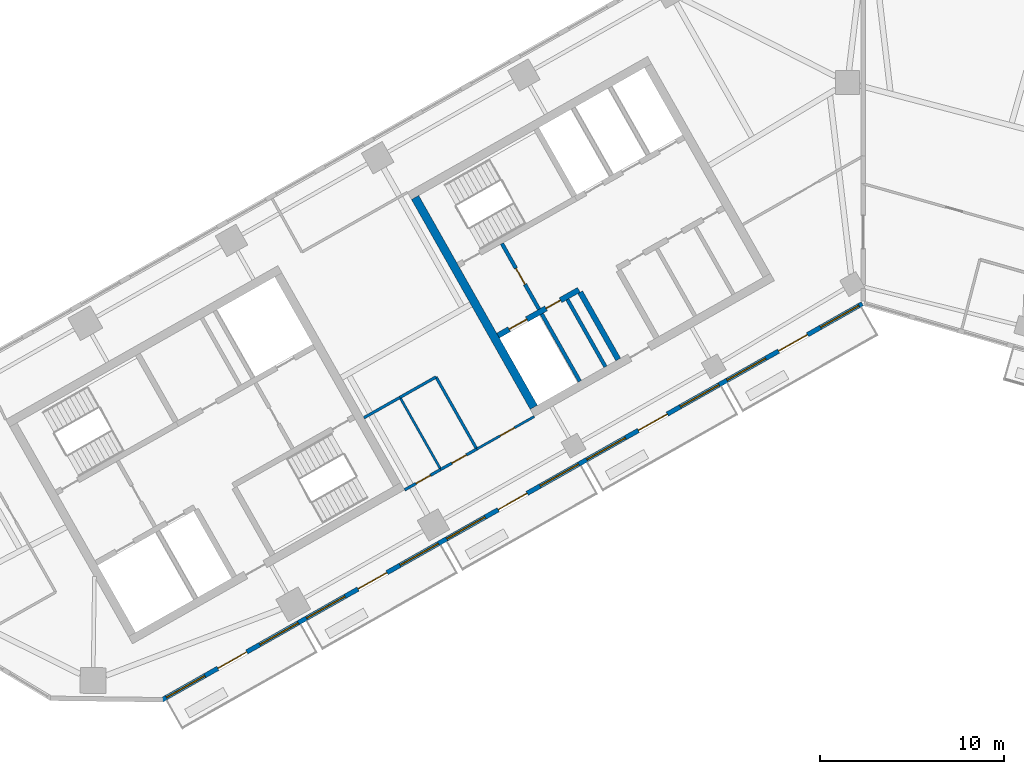
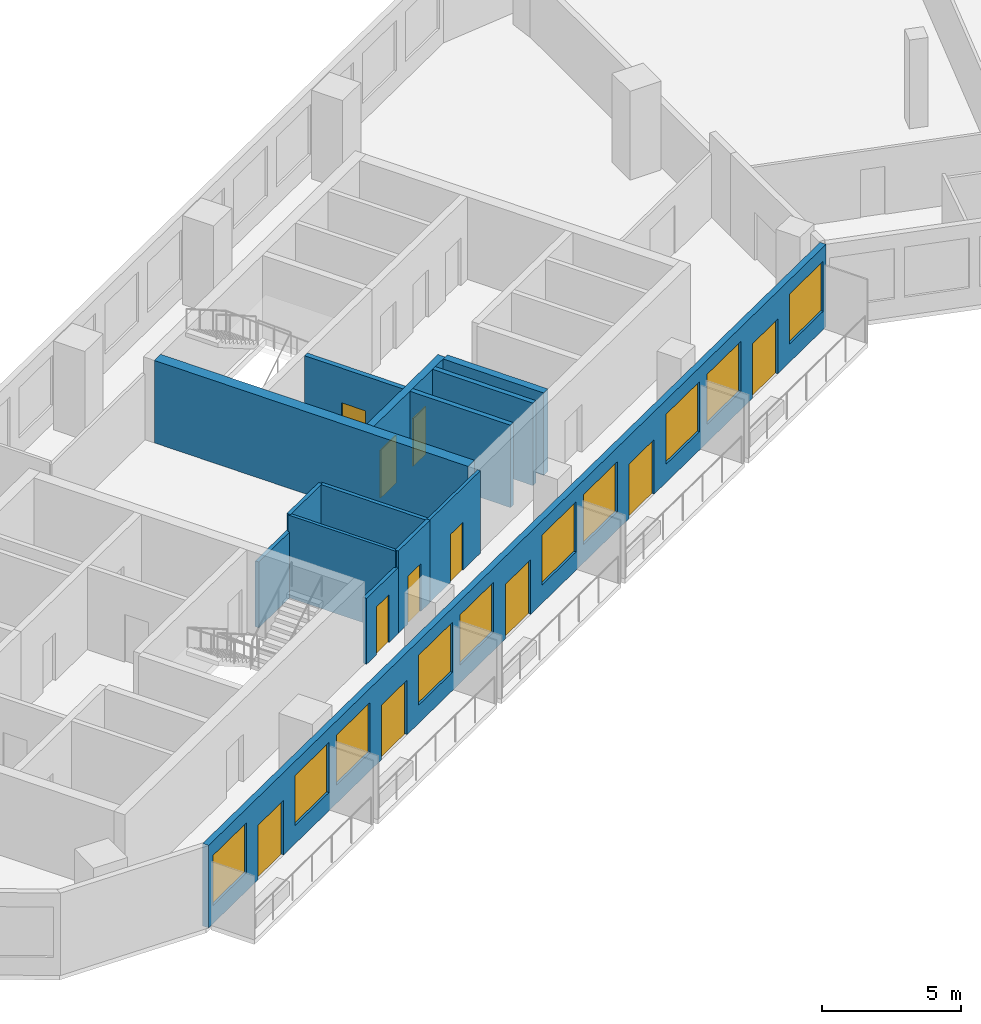
# One storey, part 5 of 12: 14 walls, 11 doors, 10 windows, 21 openings.
"""IFC4 building model written with IfcOpenShell, lengths in metres."""

import ifcopenshell
import ifcopenshell.guid

model = None  # the IFC model being written
_history = None  # IfcOwnerHistory: only IFC2X3 demands one
_inside = {}  # id of a spatial element -> (the spatial element, [elements in it])
_under = {}  # id of a project, library or spatial element -> (it, [spatial elements below it])
_declared = {}  # id of a project -> (the project, [libraries it declares])
_typed = {}  # id of a type object -> (the type object, [elements of that type])
_made_of = {}  # id of a material, layer set ... -> (it, [elements and type objects made of it])


def new_model(schema):
    """Start an empty IFC model of exactly this schema.

    Asked for "IFC4X3", IfcOpenShell would pick the latest addendum, in which some entities
    have other attributes; the version numbers below select the first issue.
    IFC2X3 requires an IfcOwnerHistory on every rooted entity: one is made here for all.
    """
    global model, _history
    if schema == "IFC4X3":
        model = ifcopenshell.file(schema_version=(4, 3, 0, 0))
    else:
        model = ifcopenshell.file(schema=schema)
    _inside.clear()
    _under.clear()
    _declared.clear()
    _typed.clear()
    _made_of.clear()
    _history = None
    if model.schema == "IFC2X3":
        org = make("IfcOrganization", Name="unknown")
        user = make(
            "IfcPersonAndOrganization",
            ThePerson=make("IfcPerson", FamilyName="unknown"),
            TheOrganization=org,
        )
        app = make(
            "IfcApplication",
            ApplicationDeveloper=org,
            Version="unknown",
            ApplicationFullName="unknown",
            ApplicationIdentifier="unknown",
        )
        _history = make(
            "IfcOwnerHistory",
            OwningUser=user,
            OwningApplication=app,
            ChangeAction="ADDED",
            CreationDate=0,
        )
    return model


def make(cls, **values):
    """One entity of the class cls with the attributes given. An attribute that is None is left unset."""
    return model.create_entity(
        cls, **{name: value for name, value in values.items() if value is not None}
    )


def rooted(cls, **values):
    """An entity with a GlobalId (a new one), such as an element, a storey or a relation."""
    return make(cls, GlobalId=ifcopenshell.guid.new(), OwnerHistory=_history, **values)


def si_unit(unit_type, name, prefix=None):
    """IfcSIUnit, for example si_unit("LENGTHUNIT", "METRE", prefix="MILLI")."""
    return make("IfcSIUnit", UnitType=unit_type, Prefix=prefix, Name=name)


def assignment(units):
    """IfcUnitAssignment: the units of a project."""
    return None if units is None else make("IfcUnitAssignment", Units=units)


def point(xyz):
    """IfcCartesianPoint."""
    return None if xyz is None else make("IfcCartesianPoint", Coordinates=xyz)


def direction(xyz):
    """IfcDirection."""
    return None if xyz is None else make("IfcDirection", DirectionRatios=xyz)


def frame(location, z_axis=None, x_axis=None):
    """IfcAxis2Placement3D, a coordinate frame: its origin and axes. An axis left out is left unset."""
    return make(
        "IfcAxis2Placement3D",
        Location=point(location),
        Axis=direction(z_axis),
        RefDirection=direction(x_axis),
    )


def frame_2d(location, x_axis=None):
    """IfcAxis2Placement2D, a coordinate frame in the plane: its origin and x axis."""
    return make(
        "IfcAxis2Placement2D", Location=point(location), RefDirection=direction(x_axis)
    )


def origin():
    """The frame at (0, 0, 0) with its axes left unset."""
    return frame((0.0, 0.0, 0.0))


def place(relative_to, where):
    """IfcLocalPlacement: puts the frame where relative to a parent placement (None: the world)."""
    return make(
        "IfcLocalPlacement", PlacementRelTo=relative_to, RelativePlacement=where
    )


def context(
    kind, dimensions, precision=None, world=None, true_north=None, identifier=None
):
    """IfcGeometricRepresentationContext, for example the 3D "Model" context."""
    return make(
        "IfcGeometricRepresentationContext",
        ContextIdentifier=identifier,
        ContextType=kind,
        CoordinateSpaceDimension=dimensions,
        Precision=precision,
        WorldCoordinateSystem=world,
        TrueNorth=true_north,
    )


def subcontext(parent, identifier, kind, view, scale=None):
    """IfcGeometricRepresentationSubContext, for example "Body" below "Model"."""
    return make(
        "IfcGeometricRepresentationSubContext",
        ContextIdentifier=identifier,
        ContextType=kind,
        ParentContext=parent,
        TargetScale=scale,
        TargetView=view,
    )


def project(units=None, contexts=None):
    """IfcProject with its units and contexts."""
    return rooted(
        "IfcProject",
        Name="project",
        RepresentationContexts=contexts,
        UnitsInContext=assignment(units),
    )


def spatial(cls, under=None, at=None, **own):
    """A site, building, storey or space (cls), placed at a placement, below another one or the project."""
    s = rooted(cls, ObjectPlacement=at, **own)
    if under is not None:
        _under.setdefault(under.id(), (under, []))[1].append(s)
    return s


def profile(cls, at=None, kind="AREA", **sizes):
    """A parametric profile (cls). Its sizes go by their IFC names, for example OverallWidth=200.0."""
    return make(cls, ProfileType=kind, Position=at, **sizes)


def rectangle(**sizes):
    """IfcRectangleProfileDef."""
    return profile("IfcRectangleProfileDef", **sizes)


def extrude(swept, where, along, depth):
    """IfcExtrudedAreaSolid: the profile swept, set in the frame where, extruded along a direction by depth."""
    return make(
        "IfcExtrudedAreaSolid",
        SweptArea=swept,
        Position=where,
        ExtrudedDirection=direction(along),
        Depth=depth,
    )


def shape(context_of_items, identifier, shape_type, items):
    """IfcShapeRepresentation: the items that make up one representation, for example the "Body"."""
    return make(
        "IfcShapeRepresentation",
        ContextOfItems=context_of_items,
        RepresentationIdentifier=identifier,
        RepresentationType=shape_type,
        Items=items,
    )


def material(Name=None, Category=None):
    """IfcMaterial."""
    return make("IfcMaterial", Name=Name, Category=Category)


def layer(
    of_material, thickness, ventilated=None, Name=None, Category=None, Priority=None
):
    """IfcMaterialLayer: one layer of a wall or slab, of a material (None: an air gap)."""
    return make(
        "IfcMaterialLayer",
        Material=of_material,
        LayerThickness=thickness,
        IsVentilated=ventilated,
        Name=Name,
        Category=Category,
        Priority=Priority,
    )


def layer_set(layers, Name=None):
    """IfcMaterialLayerSet."""
    return make("IfcMaterialLayerSet", MaterialLayers=layers, LayerSetName=Name)


def made_of(thing, what):
    """Note that an element or type object is made of a material, layer set ...; save() writes the relation."""
    if what is not None:
        _made_of.setdefault(what.id(), (what, []))[1].append(thing)
    return thing


def type_object(cls, material=None, **own):
    """A type object (cls), such as IfcWallType, which elements share."""
    return made_of(rooted(cls, **own), material)


def element(
    cls,
    number,
    at=None,
    inside=None,
    cuts=None,
    type_object=None,
    material=None,
    context=None,
    identifier="Body",
    shape_type=None,
    held_by="IfcProductDefinitionShape",
    body=None,
    shapes=None,
    **own,
):
    """One element of the class cls, such as IfcWall. Its Tag is "e" and its number.

    at: its placement. inside: the storey or other place that contains it. cuts: it is an
    opening in that element (IfcRelVoidsElement). A single representation is given by context,
    identifier, shape_type and body (its items); several are given by shapes. held_by: the class
    of the entity that holds the representations. save() writes the other relations.
    """
    e = rooted(cls, Tag="e%d" % number, ObjectPlacement=at, **own)
    if body is not None:
        shapes = [shape(context, identifier, shape_type, body)]
    if shapes is not None:
        e.Representation = make(held_by, Representations=shapes)
    if inside is not None:
        _inside.setdefault(inside.id(), (inside, []))[1].append(e)
    if cuts is not None:
        rooted(
            "IfcRelVoidsElement", RelatingBuildingElement=cuts, RelatedOpeningElement=e
        )
    if type_object is not None:
        _typed.setdefault(type_object.id(), (type_object, []))[1].append(e)
    return made_of(e, material)


def fill(opening, filler):
    """IfcRelFillsElement: the door or window that sits in an opening."""
    return rooted(
        "IfcRelFillsElement",
        RelatingOpeningElement=opening,
        RelatedBuildingElement=filler,
    )


def aggregate(whole, parts):
    """IfcRelAggregates: a whole, such as a stair, and the parts it consists of."""
    return rooted("IfcRelAggregates", RelatingObject=whole, RelatedObjects=parts)


def save(model, path):
    """Write the relations noted so far, then the file.

    IfcRelAggregates (storeys below a building ...), IfcRelContainedInSpatialStructure (elements
    in a storey), IfcRelDefinesByType, IfcRelAssociatesMaterial and IfcRelDeclares: one each for
    every whole, place, type object, material and project.
    """
    for whole, parts in _under.values():
        aggregate(whole, parts)
    for where, things in _inside.values():
        rooted(
            "IfcRelContainedInSpatialStructure",
            RelatedElements=things,
            RelatingStructure=where,
        )
    for kind, things in _typed.values():
        rooted("IfcRelDefinesByType", RelatedObjects=things, RelatingType=kind)
    for what, things in _made_of.values():
        rooted("IfcRelAssociatesMaterial", RelatedObjects=things, RelatingMaterial=what)
    for by, libraries in _declared.values():
        rooted("IfcRelDeclares", RelatingContext=by, RelatedDefinitions=libraries)
    model.write(path)


model = new_model("IFC4")

# Units and contexts
model_context = context("Model", 3, precision=1e-05, world=origin(), true_north=direction((0.0, 1.0)))
body_context = subcontext(model_context, "Body", "Model", "MODEL_VIEW")
ifc_project = project(units=[si_unit("LENGTHUNIT", "METRE"), si_unit("AREAUNIT", "SQUARE_METRE"), si_unit("VOLUMEUNIT", "CUBIC_METRE"), si_unit("PLANEANGLEUNIT", "RADIAN"), si_unit("MASSUNIT", "GRAM", prefix="KILO")], contexts=[model_context])

# Site, building, storey
site_placement = place(None, origin())
site = spatial("IfcSite", under=ifc_project, at=site_placement, CompositionType="ELEMENT")
building_placement = place(site_placement, origin())
building = spatial("IfcBuilding", under=site, at=building_placement, Name="Binnacle Exchange Tower", CompositionType="ELEMENT")
storey_placement = place(building_placement, frame((0.0, 0.0, 242.60009765625)))
storey = spatial("IfcBuildingStorey", under=building, at=storey_placement, Name="L53", CompositionType="ELEMENT", Elevation=242.60009765625)

# Wall, openings, doors
ifc_material_1 = material(Name="Concrete C70/85", Category="concrete")
ifc_layer_1 = layer(ifc_material_1, 0.300048828125)
ifc_layer_set_1 = layer_set([ifc_layer_1], Name="Core wall - front 300")
wall_type_1 = type_object("IfcWallType", Name="Core wall - front 300", PredefinedType="SOLIDWALL", material=ifc_layer_set_1)
wall_1_placement = place(storey_placement, frame((-19.8486328125, 46.242431640625, 0.0), z_axis=(0.0, 0.0, 1.0), x_axis=(0.870347559728, 0.492437940532, 0.0)))
wall_1 = element("IfcWall", 1, at=wall_1_placement, inside=storey, type_object=wall_type_1, Name="Core wall CRWC2", PredefinedType="SOLIDWALL", context=body_context, shape_type="SweptSolid", body=[
    extrude(rectangle(XDim=5.050048828125, YDim=0.300048828125, at=frame_2d((2.52490234375, 0.0))), origin(), (0.0, 0.0, 1.0), 3.619873046875),
])
opening_1_placement = place(wall_1_placement, frame((0.7001953125, 0.0, 0.0)))
opening_1 = element("IfcOpeningElement", 2, at=opening_1_placement, cuts=wall_1, Name="Opening LD14", PredefinedType="OPENING", context=body_context, shape_type="SweptSolid", body=[
    extrude(rectangle(XDim=1.10009765625, YDim=2.10009765625, at=frame_2d((0.550048828125, 1.050048828125))), frame((0.0, 0.159912109375, 0.0), z_axis=(0.0, -1.0, 0.0), x_axis=(1.0, 0.0, 0.0)), (0.0, 0.0, 1.0), 0.320068359375),
])
opening_2_placement = place(wall_1_placement, frame((3.0, 0.0, 0.0)))
opening_2 = element("IfcOpeningElement", 3, at=opening_2_placement, cuts=wall_1, Name="Opening DC14", PredefinedType="OPENING", context=body_context, shape_type="SweptSolid", body=[
    extrude(rectangle(XDim=0.89990234375, YDim=2.10009765625, at=frame_2d((0.449951171875, 1.050048828125))), frame((0.0, 0.159912109375, 0.0), z_axis=(0.0, -1.0, 0.0), x_axis=(1.0, 0.0, 0.0)), (0.0, 0.0, 1.0), 0.320068359375),
])
ifc_material_2 = material(Name="Steel door leaf", Category="steel")
door_type_1 = type_object("IfcDoorType", Name="Fire door - lift landing 1100", OperationType="NOTDEFINED", PredefinedType="DOOR", material=ifc_material_2)
door_1_placement = place(opening_1_placement, origin())
door_1 = element("IfcDoor", 4, at=door_1_placement, inside=storey, type_object=door_type_1, Name="Landing door LD14 L53", OperationType="DOUBLE_DOOR_SLIDING", OverallHeight=2.10009765625, OverallWidth=1.10009765625, PredefinedType="DOOR", context=body_context, shape_type="SweptSolid", body=[
    extrude(rectangle(XDim=1.10009765625, YDim=2.10009765625, at=frame_2d((0.550048828125, 1.050048828125))), frame((0.0, 0.02490234375, 0.0), z_axis=(0.0, -1.0, 0.0), x_axis=(1.0, 0.0, 0.0)), (0.0, 0.0, 1.0), 0.050048828125),
])
fill(opening_1, door_1)
door_type_2 = type_object("IfcDoorType", Name="Fire door 900", OperationType="NOTDEFINED", PredefinedType="DOOR", material=ifc_material_2)
door_2_placement = place(opening_2_placement, frame((0.89990234375, 0.0, 0.0), z_axis=(0.0, 0.0, 1.0), x_axis=(-1.0, 0.0, 0.0)))
door_2 = element("IfcDoor", 5, at=door_2_placement, inside=storey, type_object=door_type_2, Name="Core room door CLEANERS STORE", OperationType="SINGLE_SWING_LEFT", OverallHeight=2.10009765625, OverallWidth=0.89990234375, PredefinedType="DOOR", context=body_context, shape_type="SweptSolid", body=[
    extrude(rectangle(XDim=0.89990234375, YDim=2.10009765625, at=frame_2d((0.449951171875, 1.050048828125))), frame((0.0, 0.02490234375, 0.0), z_axis=(0.0, -1.0, 0.0), x_axis=(1.0, 0.0, 0.0)), (0.0, 0.0, 1.0), 0.050048828125),
])
fill(opening_2, door_2)

# Walls
wall_2_placement = place(storey_placement, frame((-15.37939453125, 48.5986328125, 0.0), z_axis=(0.0, 0.0, 1.0), x_axis=(0.492409653846, -0.870363563575, 0.0)))
element("IfcWall", 6, at=wall_2_placement, inside=storey, type_object=wall_type_1, Name="Core wall CRWC13", PredefinedType="SOLIDWALL", context=body_context, shape_type="SweptSolid", body=[
    extrude(rectangle(XDim=4.199951171875, YDim=0.300048828125, at=frame_2d((2.10009765625, 0.0))), origin(), (0.0, 0.0, 1.0), 3.619873046875),
])
ifc_layer_2 = layer(ifc_material_1, 0.449951171875)
ifc_layer_set_2 = layer_set([ifc_layer_2], Name="Core wall - outer 450")
wall_type_2 = type_object("IfcWallType", Name="Core wall - outer 450", PredefinedType="SOLIDWALL", material=ifc_layer_set_2)
wall_3_placement = place(storey_placement, frame((-24.353271484375, 53.747314453125, 0.0), z_axis=(0.0, 0.0, 1.0), x_axis=(0.492435496286, -0.870348942665, 0.0)))
element("IfcWall", 7, at=wall_3_placement, inside=storey, type_object=wall_type_2, Name="Core wall CRWC7", PredefinedType="SOLIDWALL", context=body_context, shape_type="SweptSolid", body=[
    extrude(rectangle(XDim=13.10009765625, YDim=0.449951171875, at=frame_2d((6.550048828125, 0.0))), origin(), (0.0, 0.0, 1.0), 3.619873046875),
])

# Wall, openings, doors, windows
ifc_material_3 = material(Name="Bronze aluminium cladding", Category="aluminium")
ifc_layer_3 = layer(ifc_material_3, 0.25)
ifc_layer_set_3 = layer_set([ifc_layer_3], Name="External wall - window wall 250")
wall_type_3 = type_object("IfcWallType", Name="External wall - window wall 250", PredefinedType="STANDARD", material=ifc_layer_set_3)
wall_4_placement = place(storey_placement, frame((-0.045654296875, 47.97412109375, 0.0), z_axis=(0.0, 0.0, 1.0), x_axis=(-0.870356579543, -0.492421998337, 0.0)))
wall_4 = element("IfcWall", 8, at=wall_4_placement, inside=storey, type_object=wall_type_3, Name="External wall EW-G01 L53", PredefinedType="STANDARD", context=body_context, shape_type="SweptSolid", body=[
    extrude(rectangle(XDim=43.75390625, YDim=0.25, at=frame_2d((21.876953125, 0.0))), origin(), (0.0, 0.0, 1.0), 3.619873046875),
])
opening_3_placement = place(wall_4_placement, frame((41.061279296875, 0.0, 0.800048828125)))
opening_3 = element("IfcOpeningElement", 9, at=opening_3_placement, cuts=wall_4, Name="Opening WR1", PredefinedType="OPENING", context=body_context, shape_type="SweptSolid", body=[
    extrude(rectangle(XDim=2.39990234375, YDim=2.199951171875, at=frame_2d((1.199951171875, 1.10009765625))), frame((0.0, 0.135009765625, 0.0), z_axis=(0.0, -1.0, 0.0), x_axis=(1.0, 0.0, 0.0)), (0.0, 0.0, 1.0), 0.27001953125),
])
opening_4_placement = place(wall_4_placement, frame((38.443115234375, 0.0, 0.0)))
opening_4 = element("IfcOpeningElement", 10, at=opening_4_placement, cuts=wall_4, Name="Opening D-FS15-01", PredefinedType="OPENING", context=body_context, shape_type="SweptSolid", body=[
    extrude(rectangle(XDim=1.800048828125, YDim=2.39990234375, at=frame_2d((0.89990234375, 1.199951171875))), frame((0.0, 0.135009765625, 0.0), z_axis=(0.0, -1.0, 0.0), x_axis=(1.0, 0.0, 0.0)), (0.0, 0.0, 1.0), 0.27001953125),
])
opening_5_placement = place(wall_4_placement, frame((35.224853515625, 0.0, 0.800048828125)))
opening_5 = element("IfcOpeningElement", 11, at=opening_5_placement, cuts=wall_4, Name="Opening WR1", PredefinedType="OPENING", context=body_context, shape_type="SweptSolid", body=[
    extrude(rectangle(XDim=2.39990234375, YDim=2.199951171875, at=frame_2d((1.199951171875, 1.10009765625))), frame((0.0, 0.135009765625, 0.0), z_axis=(0.0, -1.0, 0.0), x_axis=(1.0, 0.0, 0.0)), (0.0, 0.0, 1.0), 0.27001953125),
])
opening_6_placement = place(wall_4_placement, frame((32.306640625, 0.0, 0.800048828125)))
opening_6 = element("IfcOpeningElement", 12, at=opening_6_placement, cuts=wall_4, Name="Opening WR1", PredefinedType="OPENING", context=body_context, shape_type="SweptSolid", body=[
    extrude(rectangle(XDim=2.39990234375, YDim=2.199951171875, at=frame_2d((1.199951171875, 1.10009765625))), frame((0.0, 0.135009765625, 0.0), z_axis=(0.0, -1.0, 0.0), x_axis=(1.0, 0.0, 0.0)), (0.0, 0.0, 1.0), 0.27001953125),
])
opening_7_placement = place(wall_4_placement, frame((29.6884765625, 0.0, 0.0)))
opening_7 = element("IfcOpeningElement", 13, at=opening_7_placement, cuts=wall_4, Name="Opening D-FS15-02", PredefinedType="OPENING", context=body_context, shape_type="SweptSolid", body=[
    extrude(rectangle(XDim=1.800048828125, YDim=2.39990234375, at=frame_2d((0.89990234375, 1.199951171875))), frame((0.0, 0.135009765625, 0.0), z_axis=(0.0, -1.0, 0.0), x_axis=(1.0, 0.0, 0.0)), (0.0, 0.0, 1.0), 0.27001953125),
])
opening_8_placement = place(wall_4_placement, frame((26.47021484375, 0.0, 0.800048828125)))
opening_8 = element("IfcOpeningElement", 14, at=opening_8_placement, cuts=wall_4, Name="Opening WR1", PredefinedType="OPENING", context=body_context, shape_type="SweptSolid", body=[
    extrude(rectangle(XDim=2.39990234375, YDim=2.199951171875, at=frame_2d((1.199951171875, 1.10009765625))), frame((0.0, 0.135009765625, 0.0), z_axis=(0.0, -1.0, 0.0), x_axis=(1.0, 0.0, 0.0)), (0.0, 0.0, 1.0), 0.27001953125),
])
opening_9_placement = place(wall_4_placement, frame((23.552001953125, 0.0, 0.800048828125)))
opening_9 = element("IfcOpeningElement", 15, at=opening_9_placement, cuts=wall_4, Name="Opening WR1", PredefinedType="OPENING", context=body_context, shape_type="SweptSolid", body=[
    extrude(rectangle(XDim=2.39990234375, YDim=2.199951171875, at=frame_2d((1.199951171875, 1.10009765625))), frame((0.0, 0.135009765625, 0.0), z_axis=(0.0, -1.0, 0.0), x_axis=(1.0, 0.0, 0.0)), (0.0, 0.0, 1.0), 0.27001953125),
])
opening_10_placement = place(wall_4_placement, frame((20.93408203125, 0.0, 0.0)))
opening_10 = element("IfcOpeningElement", 16, at=opening_10_placement, cuts=wall_4, Name="Opening D-FS15-03", PredefinedType="OPENING", context=body_context, shape_type="SweptSolid", body=[
    extrude(rectangle(XDim=1.7998046875, YDim=2.39990234375, at=frame_2d((0.89990234375, 1.199951171875))), frame((0.0, 0.135009765625, 0.0), z_axis=(0.0, -1.0, 0.0), x_axis=(1.0, 0.0, 0.0)), (0.0, 0.0, 1.0), 0.27001953125),
])
opening_11_placement = place(wall_4_placement, frame((17.7158203125, 0.0, 0.800048828125)))
opening_11 = element("IfcOpeningElement", 17, at=opening_11_placement, cuts=wall_4, Name="Opening WR1", PredefinedType="OPENING", context=body_context, shape_type="SweptSolid", body=[
    extrude(rectangle(XDim=2.39990234375, YDim=2.199951171875, at=frame_2d((1.199951171875, 1.10009765625))), frame((0.0, 0.135009765625, 0.0), z_axis=(0.0, -1.0, 0.0), x_axis=(1.0, 0.0, 0.0)), (0.0, 0.0, 1.0), 0.27001953125),
])
opening_12_placement = place(wall_4_placement, frame((14.797607421875, 0.0, 0.800048828125)))
opening_12 = element("IfcOpeningElement", 18, at=opening_12_placement, cuts=wall_4, Name="Opening WR1", PredefinedType="OPENING", context=body_context, shape_type="SweptSolid", body=[
    extrude(rectangle(XDim=2.39990234375, YDim=2.199951171875, at=frame_2d((1.199951171875, 1.10009765625))), frame((0.0, 0.135009765625, 0.0), z_axis=(0.0, -1.0, 0.0), x_axis=(1.0, 0.0, 0.0)), (0.0, 0.0, 1.0), 0.27001953125),
])
opening_13_placement = place(wall_4_placement, frame((12.179443359375, 0.0, 0.0)))
opening_13 = element("IfcOpeningElement", 19, at=opening_13_placement, cuts=wall_4, Name="Opening D-FS15-04", PredefinedType="OPENING", context=body_context, shape_type="SweptSolid", body=[
    extrude(rectangle(XDim=1.800048828125, YDim=2.39990234375, at=frame_2d((0.89990234375, 1.199951171875))), frame((0.0, 0.135009765625, 0.0), z_axis=(0.0, -1.0, 0.0), x_axis=(1.0, 0.0, 0.0)), (0.0, 0.0, 1.0), 0.27001953125),
])
opening_14_placement = place(wall_4_placement, frame((8.961181640625, 0.0, 0.800048828125)))
opening_14 = element("IfcOpeningElement", 20, at=opening_14_placement, cuts=wall_4, Name="Opening WR1", PredefinedType="OPENING", context=body_context, shape_type="SweptSolid", body=[
    extrude(rectangle(XDim=2.39990234375, YDim=2.199951171875, at=frame_2d((1.199951171875, 1.10009765625))), frame((0.0, 0.135009765625, 0.0), z_axis=(0.0, -1.0, 0.0), x_axis=(1.0, 0.0, 0.0)), (0.0, 0.0, 1.0), 0.27001953125),
])
opening_15_placement = place(wall_4_placement, frame((6.04296875, 0.0, 0.800048828125)))
opening_15 = element("IfcOpeningElement", 21, at=opening_15_placement, cuts=wall_4, Name="Opening WR1", PredefinedType="OPENING", context=body_context, shape_type="SweptSolid", body=[
    extrude(rectangle(XDim=2.400146484375, YDim=2.199951171875, at=frame_2d((1.2001953125, 1.10009765625))), frame((0.0, 0.135009765625, 0.0), z_axis=(0.0, -1.0, 0.0), x_axis=(1.0, 0.0, 0.0)), (0.0, 0.0, 1.0), 0.27001953125),
])
opening_16_placement = place(wall_4_placement, frame((3.4248046875, 0.0, 0.0)))
opening_16 = element("IfcOpeningElement", 22, at=opening_16_placement, cuts=wall_4, Name="Opening D-FS15-05", PredefinedType="OPENING", context=body_context, shape_type="SweptSolid", body=[
    extrude(rectangle(XDim=1.800048828125, YDim=2.39990234375, at=frame_2d((0.89990234375, 1.199951171875))), frame((0.0, 0.135009765625, 0.0), z_axis=(0.0, -1.0, 0.0), x_axis=(1.0, 0.0, 0.0)), (0.0, 0.0, 1.0), 0.27001953125),
])
opening_17_placement = place(wall_4_placement, frame((0.206787109375, 0.0, 0.800048828125)))
opening_17 = element("IfcOpeningElement", 23, at=opening_17_placement, cuts=wall_4, Name="Opening WR1", PredefinedType="OPENING", context=body_context, shape_type="SweptSolid", body=[
    extrude(rectangle(XDim=2.39990234375, YDim=2.199951171875, at=frame_2d((1.199951171875, 1.10009765625))), frame((0.0, 0.135009765625, 0.0), z_axis=(0.0, -1.0, 0.0), x_axis=(1.0, 0.0, 0.0)), (0.0, 0.0, 1.0), 0.27001953125),
])
ifc_material_4 = material(Name="Bronze anodised aluminium frame", Category="aluminium")
door_type_3 = type_object("IfcDoorType", Name="DB DOOR 1800x2400", OperationType="DOUBLE_DOOR_SINGLE_SWING", PredefinedType="DOOR", material=ifc_material_4)
door_3_placement = place(opening_4_placement, origin())
door_3 = element("IfcDoor", 24, at=door_3_placement, inside=storey, type_object=door_type_3, Name="Door D-FS15-01 L53", OperationType="DOUBLE_DOOR_SINGLE_SWING", OverallHeight=2.39990234375, OverallWidth=1.800048828125, PredefinedType="DOOR", context=body_context, shape_type="SweptSolid", body=[
    extrude(rectangle(XDim=1.800048828125, YDim=2.39990234375, at=frame_2d((0.89990234375, 1.199951171875))), frame((0.0, 0.02490234375, 0.0), z_axis=(0.0, -1.0, 0.0), x_axis=(1.0, 0.0, 0.0)), (0.0, 0.0, 1.0), 0.050048828125),
])
fill(opening_4, door_3)
door_4_placement = place(opening_7_placement, origin())
door_4 = element("IfcDoor", 25, at=door_4_placement, inside=storey, type_object=door_type_3, Name="Door D-FS15-02 L53", OperationType="DOUBLE_DOOR_SINGLE_SWING", OverallHeight=2.39990234375, OverallWidth=1.800048828125, PredefinedType="DOOR", context=body_context, shape_type="SweptSolid", body=[
    extrude(rectangle(XDim=1.800048828125, YDim=2.39990234375, at=frame_2d((0.89990234375, 1.199951171875))), frame((0.0, 0.02490234375, 0.0), z_axis=(0.0, -1.0, 0.0), x_axis=(1.0, 0.0, 0.0)), (0.0, 0.0, 1.0), 0.050048828125),
])
fill(opening_7, door_4)
door_5_placement = place(opening_10_placement, origin())
door_5 = element("IfcDoor", 26, at=door_5_placement, inside=storey, type_object=door_type_3, Name="Door D-FS15-03 L53", OperationType="DOUBLE_DOOR_SINGLE_SWING", OverallHeight=2.39990234375, OverallWidth=1.7998046875, PredefinedType="DOOR", context=body_context, shape_type="SweptSolid", body=[
    extrude(rectangle(XDim=1.7998046875, YDim=2.39990234375, at=frame_2d((0.89990234375, 1.199951171875))), frame((0.0, 0.02490234375, 0.0), z_axis=(0.0, -1.0, 0.0), x_axis=(1.0, 0.0, 0.0)), (0.0, 0.0, 1.0), 0.050048828125),
])
fill(opening_10, door_5)
door_6_placement = place(opening_13_placement, origin())
door_6 = element("IfcDoor", 27, at=door_6_placement, inside=storey, type_object=door_type_3, Name="Door D-FS15-04 L53", OperationType="DOUBLE_DOOR_SINGLE_SWING", OverallHeight=2.39990234375, OverallWidth=1.800048828125, PredefinedType="DOOR", context=body_context, shape_type="SweptSolid", body=[
    extrude(rectangle(XDim=1.800048828125, YDim=2.39990234375, at=frame_2d((0.89990234375, 1.199951171875))), frame((0.0, 0.02490234375, 0.0), z_axis=(0.0, -1.0, 0.0), x_axis=(1.0, 0.0, 0.0)), (0.0, 0.0, 1.0), 0.050048828125),
])
fill(opening_13, door_6)
door_7_placement = place(opening_16_placement, origin())
door_7 = element("IfcDoor", 28, at=door_7_placement, inside=storey, type_object=door_type_3, Name="Door D-FS15-05 L53", OperationType="DOUBLE_DOOR_SINGLE_SWING", OverallHeight=2.39990234375, OverallWidth=1.800048828125, PredefinedType="DOOR", context=body_context, shape_type="SweptSolid", body=[
    extrude(rectangle(XDim=1.800048828125, YDim=2.39990234375, at=frame_2d((0.89990234375, 1.199951171875))), frame((0.0, 0.02490234375, 0.0), z_axis=(0.0, -1.0, 0.0), x_axis=(1.0, 0.0, 0.0)), (0.0, 0.0, 1.0), 0.050048828125),
])
fill(opening_16, door_7)
window_type = type_object("IfcWindowType", Name="WR1 WINDOW 2400x2200", PartitioningType="SINGLE_PANEL", PredefinedType="WINDOW", material=ifc_material_4)
window_1_placement = place(opening_3_placement, origin())
window_1 = element("IfcWindow", 29, at=window_1_placement, inside=storey, type_object=window_type, Name="Window WR1 L53", OverallHeight=2.199951171875, OverallWidth=2.39990234375, PartitioningType="SINGLE_PANEL", PredefinedType="WINDOW", context=body_context, shape_type="SweptSolid", body=[
    extrude(rectangle(XDim=2.39990234375, YDim=2.199951171875, at=frame_2d((1.199951171875, 1.10009765625))), frame((0.0, 0.030029296875, 0.0), z_axis=(0.0, -1.0, 0.0), x_axis=(1.0, 0.0, 0.0)), (0.0, 0.0, 1.0), 0.06005859375),
])
fill(opening_3, window_1)
window_2_placement = place(opening_5_placement, origin())
window_2 = element("IfcWindow", 30, at=window_2_placement, inside=storey, type_object=window_type, Name="Window WR1 L53", OverallHeight=2.199951171875, OverallWidth=2.39990234375, PartitioningType="SINGLE_PANEL", PredefinedType="WINDOW", context=body_context, shape_type="SweptSolid", body=[
    extrude(rectangle(XDim=2.39990234375, YDim=2.199951171875, at=frame_2d((1.199951171875, 1.10009765625))), frame((0.0, 0.030029296875, 0.0), z_axis=(0.0, -1.0, 0.0), x_axis=(1.0, 0.0, 0.0)), (0.0, 0.0, 1.0), 0.06005859375),
])
fill(opening_5, window_2)
window_3_placement = place(opening_6_placement, origin())
window_3 = element("IfcWindow", 31, at=window_3_placement, inside=storey, type_object=window_type, Name="Window WR1 L53", OverallHeight=2.199951171875, OverallWidth=2.39990234375, PartitioningType="SINGLE_PANEL", PredefinedType="WINDOW", context=body_context, shape_type="SweptSolid", body=[
    extrude(rectangle(XDim=2.39990234375, YDim=2.199951171875, at=frame_2d((1.199951171875, 1.10009765625))), frame((0.0, 0.030029296875, 0.0), z_axis=(0.0, -1.0, 0.0), x_axis=(1.0, 0.0, 0.0)), (0.0, 0.0, 1.0), 0.06005859375),
])
fill(opening_6, window_3)
window_4_placement = place(opening_8_placement, origin())
window_4 = element("IfcWindow", 32, at=window_4_placement, inside=storey, type_object=window_type, Name="Window WR1 L53", OverallHeight=2.199951171875, OverallWidth=2.39990234375, PartitioningType="SINGLE_PANEL", PredefinedType="WINDOW", context=body_context, shape_type="SweptSolid", body=[
    extrude(rectangle(XDim=2.39990234375, YDim=2.199951171875, at=frame_2d((1.199951171875, 1.10009765625))), frame((0.0, 0.030029296875, 0.0), z_axis=(0.0, -1.0, 0.0), x_axis=(1.0, 0.0, 0.0)), (0.0, 0.0, 1.0), 0.06005859375),
])
fill(opening_8, window_4)
window_5_placement = place(opening_9_placement, origin())
window_5 = element("IfcWindow", 33, at=window_5_placement, inside=storey, type_object=window_type, Name="Window WR1 L53", OverallHeight=2.199951171875, OverallWidth=2.39990234375, PartitioningType="SINGLE_PANEL", PredefinedType="WINDOW", context=body_context, shape_type="SweptSolid", body=[
    extrude(rectangle(XDim=2.39990234375, YDim=2.199951171875, at=frame_2d((1.199951171875, 1.10009765625))), frame((0.0, 0.030029296875, 0.0), z_axis=(0.0, -1.0, 0.0), x_axis=(1.0, 0.0, 0.0)), (0.0, 0.0, 1.0), 0.06005859375),
])
fill(opening_9, window_5)
window_6_placement = place(opening_11_placement, origin())
window_6 = element("IfcWindow", 34, at=window_6_placement, inside=storey, type_object=window_type, Name="Window WR1 L53", OverallHeight=2.199951171875, OverallWidth=2.39990234375, PartitioningType="SINGLE_PANEL", PredefinedType="WINDOW", context=body_context, shape_type="SweptSolid", body=[
    extrude(rectangle(XDim=2.39990234375, YDim=2.199951171875, at=frame_2d((1.199951171875, 1.10009765625))), frame((0.0, 0.030029296875, 0.0), z_axis=(0.0, -1.0, 0.0), x_axis=(1.0, 0.0, 0.0)), (0.0, 0.0, 1.0), 0.06005859375),
])
fill(opening_11, window_6)
window_7_placement = place(opening_12_placement, origin())
window_7 = element("IfcWindow", 35, at=window_7_placement, inside=storey, type_object=window_type, Name="Window WR1 L53", OverallHeight=2.199951171875, OverallWidth=2.39990234375, PartitioningType="SINGLE_PANEL", PredefinedType="WINDOW", context=body_context, shape_type="SweptSolid", body=[
    extrude(rectangle(XDim=2.39990234375, YDim=2.199951171875, at=frame_2d((1.199951171875, 1.10009765625))), frame((0.0, 0.030029296875, 0.0), z_axis=(0.0, -1.0, 0.0), x_axis=(1.0, 0.0, 0.0)), (0.0, 0.0, 1.0), 0.06005859375),
])
fill(opening_12, window_7)
window_8_placement = place(opening_14_placement, origin())
window_8 = element("IfcWindow", 36, at=window_8_placement, inside=storey, type_object=window_type, Name="Window WR1 L53", OverallHeight=2.199951171875, OverallWidth=2.39990234375, PartitioningType="SINGLE_PANEL", PredefinedType="WINDOW", context=body_context, shape_type="SweptSolid", body=[
    extrude(rectangle(XDim=2.39990234375, YDim=2.199951171875, at=frame_2d((1.199951171875, 1.10009765625))), frame((0.0, 0.030029296875, 0.0), z_axis=(0.0, -1.0, 0.0), x_axis=(1.0, 0.0, 0.0)), (0.0, 0.0, 1.0), 0.06005859375),
])
fill(opening_14, window_8)
window_9_placement = place(opening_15_placement, origin())
window_9 = element("IfcWindow", 37, at=window_9_placement, inside=storey, type_object=window_type, Name="Window WR1 L53", OverallHeight=2.199951171875, OverallWidth=2.400146484375, PartitioningType="SINGLE_PANEL", PredefinedType="WINDOW", context=body_context, shape_type="SweptSolid", body=[
    extrude(rectangle(XDim=2.400146484375, YDim=2.199951171875, at=frame_2d((1.2001953125, 1.10009765625))), frame((0.0, 0.030029296875, 0.0), z_axis=(0.0, -1.0, 0.0), x_axis=(1.0, 0.0, 0.0)), (0.0, 0.0, 1.0), 0.06005859375),
])
fill(opening_15, window_9)
window_10_placement = place(opening_17_placement, origin())
window_10 = element("IfcWindow", 38, at=window_10_placement, inside=storey, type_object=window_type, Name="Window WR1 L53", OverallHeight=2.199951171875, OverallWidth=2.39990234375, PartitioningType="SINGLE_PANEL", PredefinedType="WINDOW", context=body_context, shape_type="SweptSolid", body=[
    extrude(rectangle(XDim=2.39990234375, YDim=2.199951171875, at=frame_2d((1.199951171875, 1.10009765625))), frame((0.0, 0.030029296875, 0.0), z_axis=(0.0, -1.0, 0.0), x_axis=(1.0, 0.0, 0.0)), (0.0, 0.0, 1.0), 0.06005859375),
])
fill(opening_17, window_10)

# Wall, opening, door
ifc_material_5 = material(Name="Masonry block wall", Category="masonry")
ifc_layer_4 = layer(ifc_material_5, 0.199951171875)
ifc_layer_set_4 = layer_set([ifc_layer_4], Name="Fire wall - vestibule 200")
wall_type_4 = type_object("IfcWallType", Name="Fire wall - vestibule 200", PredefinedType="PARTITIONING", material=ifc_layer_set_4)
wall_5_placement = place(storey_placement, frame((-19.635009765625, 51.246337890625, 0.0), z_axis=(0.0, 0.0, 1.0), x_axis=(0.492408451753, -0.87036424366, 0.0)))
wall_5 = element("IfcWall", 39, at=wall_5_placement, inside=storey, type_object=wall_type_4, Name="Core wall CRWC10", PredefinedType="PARTITIONING", context=body_context, shape_type="SweptSolid", body=[
    extrude(rectangle(XDim=4.099853515625, YDim=0.199951171875, at=frame_2d((2.0498046875, 0.0))), origin(), (0.0, 0.0, 1.0), 3.619873046875),
])
opening_18_placement = place(wall_5_placement, frame((1.550048828125, 0.0, 0.0)))
opening_18 = element("IfcOpeningElement", 40, at=opening_18_placement, cuts=wall_5, Name="Opening DC3", PredefinedType="OPENING", context=body_context, shape_type="SweptSolid", body=[
    extrude(rectangle(XDim=1.0, YDim=2.10009765625, at=frame_2d((0.5, 1.050048828125))), frame((0.0, 0.10986328125, 0.0), z_axis=(0.0, -1.0, 0.0), x_axis=(1.0, 0.0, 0.0)), (0.0, 0.0, 1.0), 0.219970703125),
])
door_type_4 = type_object("IfcDoorType", Name="Fire door 1000", OperationType="NOTDEFINED", PredefinedType="DOOR", material=ifc_material_2)
door_8_placement = place(opening_18_placement, frame((1.0, 0.0, 0.0), z_axis=(0.0, 0.0, 1.0), x_axis=(-1.0, 0.0, 0.0)))
door_8 = element("IfcDoor", 41, at=door_8_placement, inside=storey, type_object=door_type_4, Name="Vestibule door VEST-W", OperationType="SINGLE_SWING_RIGHT", OverallHeight=2.10009765625, OverallWidth=1.0, PredefinedType="DOOR", context=body_context, shape_type="SweptSolid", body=[
    extrude(rectangle(XDim=1.0, YDim=2.10009765625, at=frame_2d((0.5, 1.050048828125))), frame((0.0, 0.02490234375, 0.0), z_axis=(0.0, -1.0, 0.0), x_axis=(1.0, 0.0, 0.0)), (0.0, 0.0, 1.0), 0.050048828125),
])
fill(opening_18, door_8)

# Walls
ifc_material_6 = material(Name="Gypsum partition fire rated")
ifc_layer_5 = layer(ifc_material_6, 0.14990234375)
ifc_layer_set_5 = layer_set([ifc_layer_5], Name="Fire-rated partition 150")
wall_type_5 = type_object("IfcWallType", Name="Fire-rated partition 150", PredefinedType="PARTITIONING", material=ifc_layer_set_5)
wall_6_placement = place(storey_placement, frame((-27.134033203125, 41.77587890625, 0.0), z_axis=(0.0, 0.0, 1.0), x_axis=(0.870285818058, 0.4925470484, 0.0)))
element("IfcWall", 42, at=wall_6_placement, inside=storey, type_object=wall_type_5, Name="Partition W08", PredefinedType="PARTITIONING", context=body_context, shape_type="SweptSolid", body=[
    extrude(rectangle(XDim=2.249755859375, YDim=0.14990234375, at=frame_2d((1.125, 0.0))), origin(), (0.0, 0.0, 1.0), 2.891845703125),
])
wall_7_placement = place(storey_placement, frame((-25.176025390625, 42.884033203125, 0.0), z_axis=(0.0, 0.0, 1.0), x_axis=(0.870332332106, 0.492464853254, 0.0)))
element("IfcWall", 43, at=wall_7_placement, inside=storey, type_object=wall_type_5, Name="Partition W09", PredefinedType="PARTITIONING", context=body_context, shape_type="SweptSolid", body=[
    extrude(rectangle(XDim=2.249755859375, YDim=0.14990234375, at=frame_2d((1.125, 0.0))), origin(), (0.0, 0.0, 1.0), 3.619873046875),
])

# Wall, opening, door
wall_8_placement = place(storey_placement, frame((-24.9189453125, 37.85888671875, 0.0), z_axis=(0.0, 0.0, 1.0), x_axis=(0.870391061957, 0.492361045641, 0.0)))
wall_8 = element("IfcWall", 44, at=wall_8_placement, inside=storey, type_object=wall_type_5, Name="Partition W11", PredefinedType="PARTITIONING", context=body_context, shape_type="SweptSolid", body=[
    extrude(rectangle(XDim=2.250732421875, YDim=0.14990234375, at=frame_2d((1.12548828125, 0.0))), origin(), (0.0, 0.0, 1.0), 2.891845703125),
])
opening_19_placement = place(wall_8_placement, frame((0.699951171875, 0.0, 0.0)))
opening_19 = element("IfcOpeningElement", 45, at=opening_19_placement, cuts=wall_8, Name="Opening DL52-02", PredefinedType="OPENING", context=body_context, shape_type="SweptSolid", body=[
    extrude(rectangle(XDim=0.89990234375, YDim=2.10009765625, at=frame_2d((0.449951171875, 1.050048828125))), frame((0.0, 0.0849609375, 0.0), z_axis=(0.0, -1.0, 0.0), x_axis=(1.0, 0.0, 0.0)), (0.0, 0.0, 1.0), 0.169921875),
])
door_9_placement = place(opening_19_placement, origin())
door_9 = element("IfcDoor", 46, at=door_9_placement, inside=storey, type_object=door_type_2, Name="Door DL52-02", OperationType="SINGLE_SWING_RIGHT", OverallHeight=2.10009765625, OverallWidth=0.89990234375, PredefinedType="DOOR", context=body_context, shape_type="SweptSolid", body=[
    extrude(rectangle(XDim=0.89990234375, YDim=2.10009765625, at=frame_2d((0.449951171875, 1.050048828125))), frame((0.0, 0.02490234375, 0.0), z_axis=(0.0, -1.0, 0.0), x_axis=(1.0, 0.0, 0.0)), (0.0, 0.0, 1.0), 0.050048828125),
])
fill(opening_19, door_9)

# Wall
wall_9_placement = place(storey_placement, frame((-23.218017578125, 43.991943359375, 0.0), z_axis=(0.0, 0.0, 1.0), x_axis=(0.492412939134, -0.87036170491, 0.0)))
element("IfcWall", 47, at=wall_9_placement, inside=storey, type_object=wall_type_5, Name="Partition W12", PredefinedType="PARTITIONING", context=body_context, shape_type="SweptSolid", body=[
    extrude(rectangle(XDim=4.50048828125, YDim=0.14990234375, at=frame_2d((2.250244140625, 0.0))), origin(), (0.0, 0.0, 1.0), 3.619873046875),
])

# Wall, opening, door
wall_10_placement = place(storey_placement, frame((-22.9599609375, 38.967041015625, 0.0), z_axis=(0.0, 0.0, 1.0), x_axis=(0.870332332106, 0.492464853254, 0.0)))
wall_10 = element("IfcWall", 48, at=wall_10_placement, inside=storey, type_object=wall_type_5, Name="Partition W13", PredefinedType="PARTITIONING", context=body_context, shape_type="SweptSolid", body=[
    extrude(rectangle(XDim=2.249755859375, YDim=0.14990234375, at=frame_2d((1.125, 0.0))), origin(), (0.0, 0.0, 1.0), 3.619873046875),
])
opening_20_placement = place(wall_10_placement, frame((0.699951171875, 0.0, 0.0)))
opening_20 = element("IfcOpeningElement", 49, at=opening_20_placement, cuts=wall_10, Name="Opening DL52-03", PredefinedType="OPENING", context=body_context, shape_type="SweptSolid", body=[
    extrude(rectangle(XDim=0.89990234375, YDim=2.10009765625, at=frame_2d((0.449951171875, 1.050048828125))), frame((0.0, 0.0849609375, 0.0), z_axis=(0.0, -1.0, 0.0), x_axis=(1.0, 0.0, 0.0)), (0.0, 0.0, 1.0), 0.169921875),
])
door_10_placement = place(opening_20_placement, origin())
door_10 = element("IfcDoor", 50, at=door_10_placement, inside=storey, type_object=door_type_2, Name="Door DL52-03", OperationType="SINGLE_SWING_RIGHT", OverallHeight=2.10009765625, OverallWidth=0.89990234375, PredefinedType="DOOR", context=body_context, shape_type="SweptSolid", body=[
    extrude(rectangle(XDim=0.89990234375, YDim=2.10009765625, at=frame_2d((0.449951171875, 1.050048828125))), frame((0.0, 0.02490234375, 0.0), z_axis=(0.0, -1.0, 0.0), x_axis=(1.0, 0.0, 0.0)), (0.0, 0.0, 1.0), 0.050048828125),
])
fill(opening_20, door_10)

# Wall
ifc_material_7 = material(Name="Gypsum partition")
ifc_layer_6 = layer(ifc_material_7, 0.125)
ifc_layer_set_6 = layer_set([ifc_layer_6], Name="Partition 125")
wall_type_6 = type_object("IfcWallType", Name="Partition 125", PredefinedType="PARTITIONING", material=ifc_layer_set_6)
wall_11_placement = place(storey_placement, frame((-25.176025390625, 42.884033203125, 0.0), z_axis=(0.0, 0.0, 1.0), x_axis=(0.492412939134, -0.87036170491, 0.0)))
element("IfcWall", 51, at=wall_11_placement, inside=storey, type_object=wall_type_6, Name="Partition W10", PredefinedType="PARTITIONING", context=body_context, shape_type="SweptSolid", body=[
    extrude(rectangle(XDim=4.50048828125, YDim=0.125, at=frame_2d((2.250244140625, 0.0))), origin(), (0.0, 0.0, 1.0), 3.619873046875),
])

# Wall, opening, door
wall_12_placement = place(storey_placement, frame((-21.001953125, 40.074951171875, 0.0), z_axis=(0.0, 0.0, 1.0), x_axis=(0.870352535776, 0.492429145632, 0.0)))
wall_12 = element("IfcWall", 52, at=wall_12_placement, inside=storey, type_object=wall_type_6, Name="Partition W14", PredefinedType="PARTITIONING", context=body_context, shape_type="SweptSolid", body=[
    extrude(rectangle(XDim=3.590576171875, YDim=0.125, at=frame_2d((1.79541015625, 0.0))), origin(), (0.0, 0.0, 1.0), 3.619873046875),
])
opening_21_placement = place(wall_12_placement, frame((1.449951171875, 0.0, 0.0)))
opening_21 = element("IfcOpeningElement", 53, at=opening_21_placement, cuts=wall_12, Name="Opening DL52-04", PredefinedType="OPENING", context=body_context, shape_type="SweptSolid", body=[
    extrude(rectangle(XDim=0.89990234375, YDim=2.10009765625, at=frame_2d((0.449951171875, 1.050048828125))), frame((0.0, 0.072509765625, 0.0), z_axis=(0.0, -1.0, 0.0), x_axis=(1.0, 0.0, 0.0)), (0.0, 0.0, 1.0), 0.14501953125),
])
ifc_material_8 = material(Name="Timber door leaf", Category="wood")
door_type_5 = type_object("IfcDoorType", Name="Door 900", OperationType="NOTDEFINED", PredefinedType="DOOR", material=ifc_material_8)
door_11_placement = place(opening_21_placement, origin())
door_11 = element("IfcDoor", 54, at=door_11_placement, inside=storey, type_object=door_type_5, Name="Door DL52-04", OperationType="SINGLE_SWING_RIGHT", OverallHeight=2.10009765625, OverallWidth=0.89990234375, PredefinedType="DOOR", context=body_context, shape_type="SweptSolid", body=[
    extrude(rectangle(XDim=0.89990234375, YDim=2.10009765625, at=frame_2d((0.449951171875, 1.050048828125))), frame((0.0, 0.02490234375, 0.0), z_axis=(0.0, -1.0, 0.0), x_axis=(1.0, 0.0, 0.0)), (0.0, 0.0, 1.0), 0.050048828125),
])
fill(opening_21, door_11)

# Walls
ifc_layer_7 = layer(ifc_material_5, 0.199951171875)
ifc_layer_set_7 = layer_set([ifc_layer_7], Name="Riser wall 200")
wall_type_7 = type_object("IfcWallType", Name="Riser wall 200", PredefinedType="SOLIDWALL", material=ifc_layer_set_7)
wall_13_placement = place(storey_placement, frame((-16.07568359375, 48.20458984375, 0.0), z_axis=(0.0, 0.0, 1.0), x_axis=(0.49243456751, -0.870349468157, 0.0)))
element("IfcWall", 55, at=wall_13_placement, inside=storey, type_object=wall_type_7, Name="Core wall CRWC12", PredefinedType="SOLIDWALL", context=body_context, shape_type="SweptSolid", body=[
    extrude(rectangle(XDim=4.19970703125, YDim=0.199951171875, at=frame_2d((2.099853515625, 0.0))), origin(), (0.0, 0.0, 1.0), 3.619873046875),
])
ifc_layer_8 = layer(ifc_material_5, 0.199951171875)
ifc_layer_set_8 = layer_set([ifc_layer_8], Name="Shaft wall 200")
wall_type_8 = type_object("IfcWallType", Name="Shaft wall 200", PredefinedType="SOLIDWALL", material=ifc_layer_set_8)
wall_14_placement = place(storey_placement, frame((-17.468505859375, 47.416748046875, 0.0), z_axis=(0.0, 0.0, 1.0), x_axis=(0.492453686477, -0.870338650569, 0.0)))
element("IfcWall", 56, at=wall_14_placement, inside=storey, type_object=wall_type_8, Name="Core wall CRWC9", PredefinedType="SOLIDWALL", context=body_context, shape_type="SweptSolid", body=[
    extrude(rectangle(XDim=4.2001953125, YDim=0.199951171875, at=frame_2d((2.10009765625, 0.0))), origin(), (0.0, 0.0, 1.0), 3.619873046875),
])

save(model, "model.ifc")
